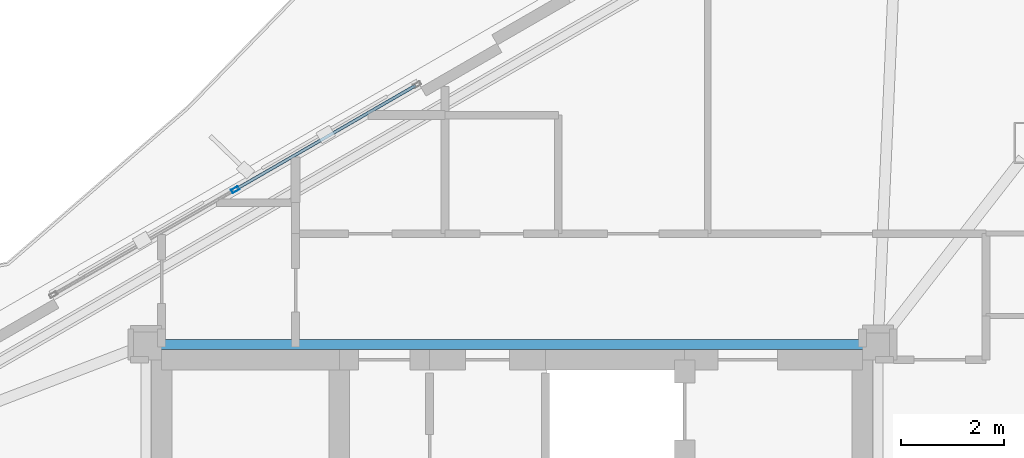
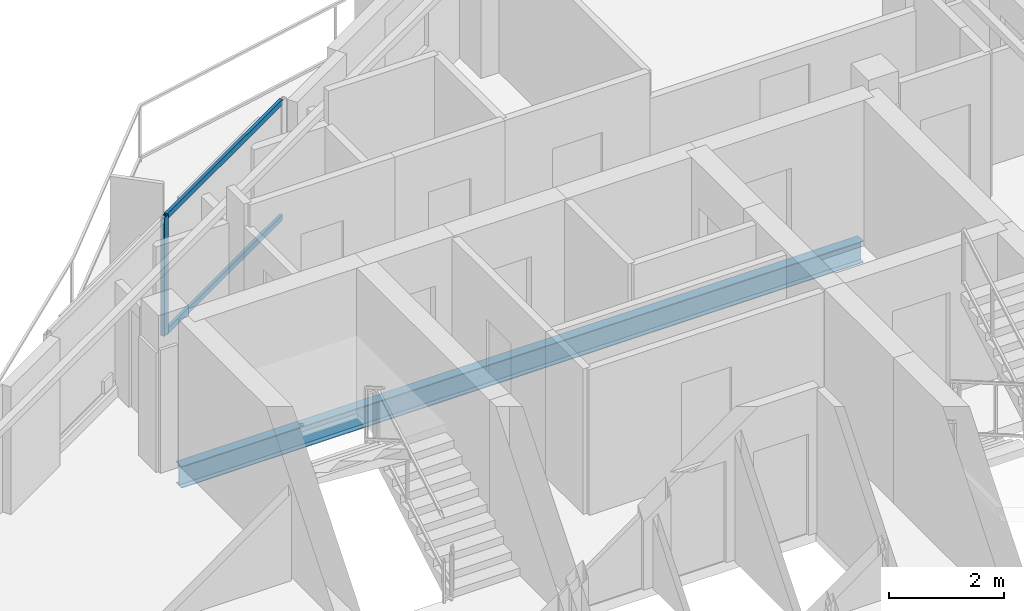
# One storey, part 10 of 18: 3 members, 1 beam, 1 element without a shape of its own.
"""IFC4 building model written with IfcOpenShell, lengths in metres."""

from ifc_helpers import new_model, si_unit, direction, frame, origin, origin_2d, place, context, subcontext, project, spatial, hollow_rectangle, i_section, extrude, material, layer, layer_set, material_profile, profile_set, type_object, element, aggregate, save


model = new_model("IFC4")

# Units and contexts
model_context = context("Model", 3, precision=1e-05, world=origin(), true_north=direction((0.0, 1.0)))
body_context = subcontext(model_context, "Body", "Model", "MODEL_VIEW")
ifc_project = project(units=[si_unit("LENGTHUNIT", "METRE"), si_unit("AREAUNIT", "SQUARE_METRE"), si_unit("VOLUMEUNIT", "CUBIC_METRE"), si_unit("PLANEANGLEUNIT", "RADIAN"), si_unit("MASSUNIT", "GRAM", prefix="KILO")], contexts=[model_context])

# Site, building, storey
site_placement = place(None, origin())
site = spatial("IfcSite", under=ifc_project, at=site_placement, CompositionType="ELEMENT")
building_placement = place(site_placement, origin())
building = spatial("IfcBuilding", under=site, at=building_placement, Name="Mersakhor Tower and Convention Hall", CompositionType="ELEMENT")
storey_placement = place(building_placement, frame((0.0, 0.0, 233.10009765625)))
storey = spatial("IfcBuildingStorey", under=building, at=storey_placement, Name="L65", CompositionType="ELEMENT", Elevation=233.10009765625)

# Beam
ifc_material_1 = material(Name="Steel S355", Category="steel")
ifc_material_profile_1 = material_profile(ifc_material_1, i_section(OverallWidth=0.19140625, OverallDepth=0.4599609375, WebThickness=0.010009765625, FlangeThickness=0.01611328125, at=origin_2d()), Name="UB 457x191x82")
ifc_profile_set_1 = profile_set([ifc_material_profile_1], Name="Steel S355")
beam_type = type_object("IfcBeamType", Name="BM-FB-457", PredefinedType="BEAM", material=ifc_profile_set_1)
beam_placement = place(storey_placement, frame((22.179931640625, 33.050048828125, -0.4501953125), z_axis=(1.0, 0.0, 0.0), x_axis=(0.0, 1.0, 0.0)))
element("IfcBeam", 1, at=beam_placement, inside=storey, type_object=beam_type, Name="L65 Core Ring Tie Beam CRB-2", PredefinedType="BEAM", context=body_context, shape_type="SweptSolid", body=[
    extrude(i_section(OverallWidth=0.19140625, OverallDepth=0.4599609375, WebThickness=0.010009765625, FlangeThickness=0.01611328125, at=origin_2d()), origin(), (0.0, 0.0, 1.0), 13.64013671875),
])

# Curtain wall, members
ifc_material_2 = material(Name="Dark solar low-E aluminium curtain wall", Category="aluminium")
ifc_layer = layer(ifc_material_2, 0.179931640625)
ifc_layer_set = layer_set([ifc_layer], Name="Dark solar low-E aluminium curtain wall")
curtain_wall_type = type_object("IfcCurtainWallType", Name="CW-SYS-03", PredefinedType="USERDEFINED", material=ifc_layer_set)
curtain_wall_placement = place(storey_placement, origin())
curtain_wall = element("IfcCurtainWall", 2, at=curtain_wall_placement, inside=storey, type_object=curtain_wall_type, Name="L65 Dark-Glass Curtain Wall F1-B2", ObjectType="CURTAIN WALL", PredefinedType="USERDEFINED")
ifc_material_3 = material(Name="Anodised aluminium EN AW-6063 T6", Category="aluminium")
ifc_material_profile_2 = material_profile(ifc_material_3, hollow_rectangle(XDim=0.074951171875, YDim=0.14990234375, WallThickness=0.00634765625, at=origin_2d()), Name="RHS 150x75x6.3")
ifc_profile_set_2 = profile_set([ifc_material_profile_2], Name="Anodised aluminium EN AW-6063 T6")
member_type_1 = type_object("IfcMemberType", Name="CWM-150x75", PredefinedType="MULLION", material=ifc_profile_set_2)
member_1_placement = place(storey_placement, frame((23.628662109375, 36.053466796875, 0.199951171875), z_axis=(0.0, 0.0, 1.0), x_axis=(-0.500004411169, 0.86602285698, 0.0)))
member_1 = element("IfcMember", 3, at=member_1_placement, type_object=member_type_1, Name="CW-03 mullion 2", PredefinedType="MULLION", context=body_context, shape_type="SweptSolid", body=[
    extrude(hollow_rectangle(XDim=0.074951171875, YDim=0.14990234375, WallThickness=0.00634765625, at=origin_2d()), origin(), (0.0, 0.0, 1.0), 2.5),
])
ifc_material_4 = material(Name="Anodised aluminium EN AW-6063 T6", Category="aluminium")
ifc_material_profile_3 = material_profile(ifc_material_4, hollow_rectangle(XDim=0.06005859375, YDim=0.1201171875, WallThickness=0.0048828125, at=origin_2d()), Name="RHS 120x60x5")
ifc_profile_set_3 = profile_set([ifc_material_profile_3], Name="Anodised aluminium EN AW-6063 T6")
member_type_2 = type_object("IfcMemberType", Name="CWT-120x60", PredefinedType="USERDEFINED", material=ifc_profile_set_3)
member_2_placement = place(storey_placement, frame((23.6611328125, 36.072265625, 0.22998046875), z_axis=(0.866023018642, 0.500004131166, 0.0), x_axis=(-0.500004131166, 0.866023018642, 0.0)))
member_2 = element("IfcMember", 4, at=member_2_placement, type_object=member_type_2, Name="CW-03 transom 2.1", ObjectType="TRANSOM", PredefinedType="USERDEFINED", context=body_context, shape_type="SweptSolid", body=[
    extrude(hollow_rectangle(XDim=0.06005859375, YDim=0.1201171875, WallThickness=0.0048828125, at=origin_2d()), origin(), (0.0, 0.0, 1.0), 4.00146484375),
])
member_3_placement = place(storey_placement, frame((23.6611328125, 36.072265625, 2.669921875), z_axis=(0.866023018642, 0.500004131166, 0.0), x_axis=(-0.500004131166, 0.866023018642, 0.0)))
member_3 = element("IfcMember", 5, at=member_3_placement, type_object=member_type_2, Name="CW-03 transom 2.2", ObjectType="TRANSOM", PredefinedType="USERDEFINED", context=body_context, shape_type="SweptSolid", body=[
    extrude(hollow_rectangle(XDim=0.06005859375, YDim=0.1201171875, WallThickness=0.0048828125, at=origin_2d()), origin(), (0.0, 0.0, 1.0), 4.00146484375),
])
aggregate(curtain_wall, [member_1, member_2, member_3])

save(model, "model.ifc")
